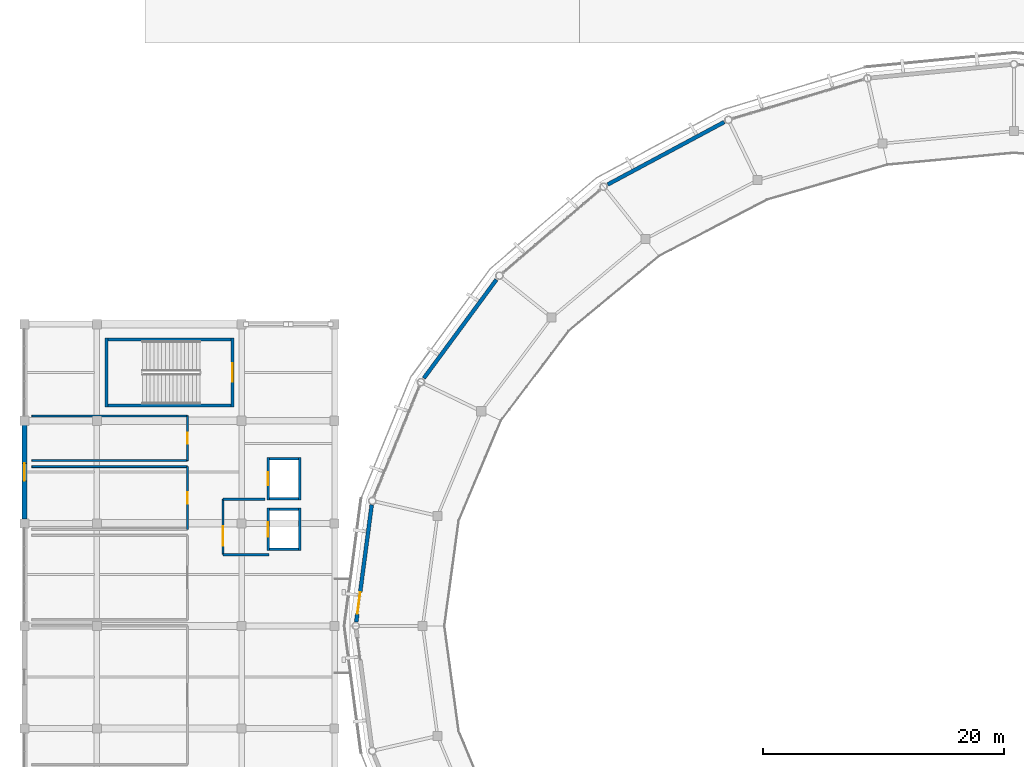
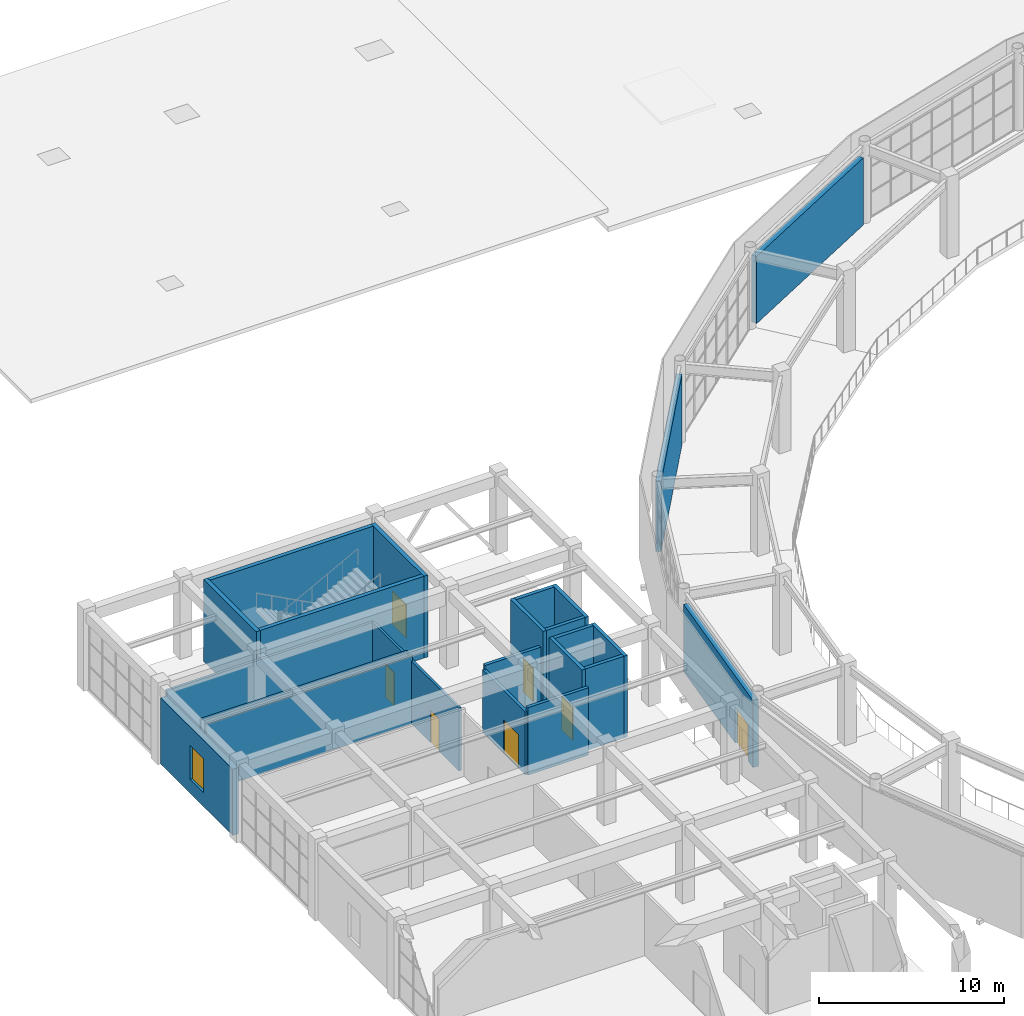
# One storey, part 55 of 70: 24 walls, 7 doors, 1 window, 8 openings.
"""IFC4 building model written with IfcOpenShell, lengths in metres."""

from ifc_helpers import new_model, si_unit, direction, frame, frame_2d, origin, place, context, subcontext, project, spatial, rectangle, extrude, material, layer, layer_set, type_object, element, fill, save


model = new_model("IFC4")

# Units and contexts
model_context = context("Model", 3, precision=1e-05, world=origin(), true_north=direction((0.0, 1.0)))
body_context = subcontext(model_context, "Body", "Model", "MODEL_VIEW")
ifc_project = project(units=[si_unit("LENGTHUNIT", "METRE"), si_unit("AREAUNIT", "SQUARE_METRE"), si_unit("VOLUMEUNIT", "CUBIC_METRE"), si_unit("PLANEANGLEUNIT", "RADIAN"), si_unit("MASSUNIT", "GRAM", prefix="KILO")], contexts=[model_context])

# Site, building, storey
site_placement = place(None, origin())
site = spatial("IfcSite", under=ifc_project, at=site_placement, CompositionType="ELEMENT")
building_placement = place(site_placement, origin())
building = spatial("IfcBuilding", under=site, at=building_placement, Name="Cuetzalor Civic Arena", CompositionType="ELEMENT")
storey_placement = place(building_placement, frame((0.0, 0.0, 21.0)))
storey = spatial("IfcBuildingStorey", under=building, at=storey_placement, Name="L04", CompositionType="ELEMENT", Elevation=21.0)

# Wall
ifc_material_1 = material(Name="Acoustic steel-stud gypsum partition", Category="steel")
ifc_layer_1 = layer(ifc_material_1, 0.14990234375)
ifc_layer_set_1 = layer_set([ifc_layer_1], Name="Acoustic steel-stud gypsum partition")
wall_type_1 = type_object("IfcWallType", Name="AcousticGypsumPartition_150", PredefinedType="PARTITIONING", material=ifc_layer_set_1)
wall_1_placement = place(storey_placement, frame((-81.39990234375, 13.199951171875, 0.0), z_axis=(0.0, 0.0, 1.0), x_axis=(1.0, 0.0, 0.0)))
element("IfcWall", 1, at=wall_1_placement, inside=storey, type_object=wall_type_1, Name="Interior Partition IWALL:L04:0514", PredefinedType="PARTITIONING", context=body_context, shape_type="SweptSolid", body=[
    extrude(rectangle(XDim=12.89990234375, YDim=0.14990234375, at=frame_2d((6.449951171875, 0.0))), origin(), (0.0, 0.0, 1.0), 4.445068359375),
])

# Wall, opening, door
wall_2_placement = place(storey_placement, frame((-68.5, 13.199951171875, 0.0), z_axis=(0.0, 0.0, 1.0), x_axis=(0.0, -1.0, 0.0)))
wall_2 = element("IfcWall", 2, at=wall_2_placement, inside=storey, type_object=wall_type_1, Name="Interior Partition IWALL:L04:0516", PredefinedType="PARTITIONING", context=body_context, shape_type="SweptSolid", body=[
    extrude(rectangle(XDim=5.199951171875, YDim=0.14990234375, at=frame_2d((2.60009765625, 0.0))), origin(), (0.0, 0.0, 1.0), 4.14501953125),
])
opening_1_placement = place(wall_2_placement, frame((2.125, 0.0, 0.0)))
opening_1 = element("IfcOpeningElement", 3, at=opening_1_placement, cuts=wall_2, Name="Opening ID-03", PredefinedType="OPENING", context=body_context, shape_type="SweptSolid", body=[
    extrude(rectangle(XDim=0.949951171875, YDim=2.14990234375, at=frame_2d((0.47509765625, 1.074951171875))), frame((0.0, 0.0849609375, 0.0), z_axis=(0.0, -1.0, 0.0), x_axis=(1.0, 0.0, 0.0)), (0.0, 0.0, 1.0), 0.169921875),
])
ifc_material_2 = material(Name="Painted steel frame and solid timber leaf", Category="steel")
door_type_1 = type_object("IfcDoorType", Name="InteriorSingleDoor_950x2150", OperationType="NOTDEFINED", PredefinedType="DOOR", material=ifc_material_2)
door_1_placement = place(opening_1_placement, origin())
door_1 = element("IfcDoor", 4, at=door_1_placement, inside=storey, type_object=door_type_1, Name="Door to Public Restroom West L04", OperationType="SINGLE_SWING_LEFT", OverallHeight=2.14990234375, OverallWidth=0.949951171875, PredefinedType="DOOR", context=body_context, shape_type="SweptSolid", body=[
    extrude(rectangle(XDim=0.949951171875, YDim=2.14990234375, at=frame_2d((0.47509765625, 1.074951171875))), frame((0.0, 0.02490234375, 0.0), z_axis=(0.0, -1.0, 0.0), x_axis=(1.0, 0.0, 0.0)), (0.0, 0.0, 1.0), 0.050048828125),
])
fill(opening_1, door_1)

# Walls
wall_3_placement = place(storey_placement, frame((-81.39990234375, 17.39990234375, 0.0), z_axis=(0.0, 0.0, 1.0), x_axis=(1.0, 0.0, 0.0)))
element("IfcWall", 5, at=wall_3_placement, inside=storey, type_object=wall_type_1, Name="Interior Partition IWALL:L04:0517", PredefinedType="PARTITIONING", context=body_context, shape_type="SweptSolid", body=[
    extrude(rectangle(XDim=12.89990234375, YDim=0.14990234375, at=frame_2d((6.449951171875, 0.0))), origin(), (0.0, 0.0, 1.0), 4.14501953125),
])
wall_4_placement = place(storey_placement, frame((-68.5, 13.699951171875, 0.0), z_axis=(0.0, 0.0, 1.0), x_axis=(-1.0, 0.0, 0.0)))
element("IfcWall", 6, at=wall_4_placement, inside=storey, type_object=wall_type_1, Name="Interior Partition IWALL:L04:0518", PredefinedType="PARTITIONING", context=body_context, shape_type="SweptSolid", body=[
    extrude(rectangle(XDim=12.89990234375, YDim=0.14990234375, at=frame_2d((6.449951171875, 0.0))), origin(), (0.0, 0.0, 1.0), 4.445068359375),
])

# Wall, opening, door
wall_5_placement = place(storey_placement, frame((-68.5, 17.39990234375, 0.0), z_axis=(0.0, 0.0, 1.0), x_axis=(0.0, -1.0, 0.0)))
wall_5 = element("IfcWall", 7, at=wall_5_placement, inside=storey, type_object=wall_type_1, Name="Interior Partition IWALL:L04:0519", PredefinedType="PARTITIONING", context=body_context, shape_type="SweptSolid", body=[
    extrude(rectangle(XDim=3.699951171875, YDim=0.14990234375, at=frame_2d((1.85009765625, 0.0))), origin(), (0.0, 0.0, 1.0), 4.14501953125),
])
opening_2_placement = place(wall_5_placement, frame((1.375, 0.0, 0.0)))
opening_2 = element("IfcOpeningElement", 8, at=opening_2_placement, cuts=wall_5, Name="Opening ID-03", PredefinedType="OPENING", context=body_context, shape_type="SweptSolid", body=[
    extrude(rectangle(XDim=0.949951171875, YDim=2.14990234375, at=frame_2d((0.47509765625, 1.074951171875))), frame((0.0, 0.0849609375, 0.0), z_axis=(0.0, -1.0, 0.0), x_axis=(1.0, 0.0, 0.0)), (0.0, 0.0, 1.0), 0.169921875),
])
door_2_placement = place(opening_2_placement, origin())
door_2 = element("IfcDoor", 9, at=door_2_placement, inside=storey, type_object=door_type_1, Name="Door to Accessible WC West L04", OperationType="SINGLE_SWING_RIGHT", OverallHeight=2.14990234375, OverallWidth=0.949951171875, PredefinedType="DOOR", context=body_context, shape_type="SweptSolid", body=[
    extrude(rectangle(XDim=0.949951171875, YDim=2.14990234375, at=frame_2d((0.47509765625, 1.074951171875))), frame((0.0, 0.02490234375, 0.0), z_axis=(0.0, -1.0, 0.0), x_axis=(1.0, 0.0, 0.0)), (0.0, 0.0, 1.0), 0.050048828125),
])
fill(opening_2, door_2)

# Walls
ifc_material_3 = material(Name="Concrete C40/50", Category="concrete")
ifc_layer_2 = layer(ifc_material_3, 0.25)
ifc_layer_set_2 = layer_set([ifc_layer_2], Name="Concrete C40/50")
wall_type_2 = type_object("IfcWallType", Name="ConcreteCoreShearWall_250", PredefinedType="SHEAR", material=ifc_layer_set_2)
wall_6_placement = place(storey_placement, frame((-75.22509765625, 18.14990234375, 0.0), z_axis=(0.0, 0.0, 1.0), x_axis=(0.0, 1.0, 0.0)))
element("IfcWall", 10, at=wall_6_placement, inside=storey, type_object=wall_type_2, Name="Stair Core Shear Wall ST-17-L04-W", PredefinedType="SHEAR", context=body_context, shape_type="SweptSolid", body=[
    extrude(rectangle(XDim=5.7001953125, YDim=0.25, at=frame_2d((2.85009765625, 0.0))), origin(), (0.0, 0.0, 1.0), 5.39990234375),
])
wall_7_placement = place(storey_placement, frame((-75.10009765625, 23.72509765625, 0.0), z_axis=(0.0, 0.0, 1.0), x_axis=(1.0, 0.0, 0.0)))
element("IfcWall", 11, at=wall_7_placement, inside=storey, type_object=wall_type_2, Name="Stair Core Shear Wall ST-17-L04-N", PredefinedType="SHEAR", context=body_context, shape_type="SweptSolid", body=[
    extrude(rectangle(XDim=10.2001953125, YDim=0.25, at=frame_2d((5.10009765625, 0.0))), origin(), (0.0, 0.0, 1.0), 5.39990234375),
])

# Wall, opening, door
wall_8_placement = place(storey_placement, frame((-64.77490234375, 23.85009765625, 0.0), z_axis=(0.0, 0.0, 1.0), x_axis=(0.0, -1.0, 0.0)))
wall_8 = element("IfcWall", 12, at=wall_8_placement, inside=storey, type_object=wall_type_2, Name="Stair Core Shear Wall ST-17-L04-E", PredefinedType="SHEAR", context=body_context, shape_type="SweptSolid", body=[
    extrude(rectangle(XDim=5.7001953125, YDim=0.25, at=frame_2d((2.85009765625, 0.0))), origin(), (0.0, 0.0, 1.0), 5.39990234375),
])
opening_3_placement = place(wall_8_placement, frame((2.10009765625, 0.0, 0.0)))
opening_3 = element("IfcOpeningElement", 13, at=opening_3_placement, cuts=wall_8, Name="Opening FD-03", PredefinedType="OPENING", context=body_context, shape_type="SweptSolid", body=[
    extrude(rectangle(XDim=1.5, YDim=2.199951171875, at=frame_2d((0.75, 1.10009765625))), frame((0.0, 0.135009765625, 0.0), z_axis=(0.0, -1.0, 0.0), x_axis=(1.0, 0.0, 0.0)), (0.0, 0.0, 1.0), 0.27001953125),
])
ifc_material_4 = material(Name="Fire-rated steel stair exit double door", Category="steel")
door_type_2 = type_object("IfcDoorType", Name="StairFireDoubleDoor_1500x2200", OperationType="DOUBLE_DOOR_SINGLE_SWING", PredefinedType="DOOR", material=ifc_material_4)
door_3_placement = place(opening_3_placement, origin())
door_3 = element("IfcDoor", 14, at=door_3_placement, inside=storey, type_object=door_type_2, Name="Fire Stair Door ST-17 L04", OperationType="DOUBLE_DOOR_SINGLE_SWING", OverallHeight=2.199951171875, OverallWidth=1.5, PredefinedType="DOOR", context=body_context, shape_type="SweptSolid", body=[
    extrude(rectangle(XDim=1.5, YDim=2.199951171875, at=frame_2d((0.75, 1.10009765625))), frame((0.0, 0.02490234375, 0.0), z_axis=(0.0, -1.0, 0.0), x_axis=(1.0, 0.0, 0.0)), (0.0, 0.0, 1.0), 0.050048828125),
])
fill(opening_3, door_3)

# Wall
wall_9_placement = place(storey_placement, frame((-64.89990234375, 18.27490234375, 0.0), z_axis=(0.0, 0.0, 1.0), x_axis=(-1.0, 0.0, 0.0)))
element("IfcWall", 15, at=wall_9_placement, inside=storey, type_object=wall_type_2, Name="Stair Core Shear Wall ST-17-L04-S", PredefinedType="SHEAR", context=body_context, shape_type="SweptSolid", body=[
    extrude(rectangle(XDim=10.2001953125, YDim=0.25, at=frame_2d((5.10009765625, 0.0))), origin(), (0.0, 0.0, 1.0), 5.39990234375),
])

# Wall, opening, door
ifc_material_5 = material(Name="Fire-rated masonry and gypsum partition", Category="masonry")
ifc_layer_3 = layer(ifc_material_5, 0.199951171875)
ifc_layer_set_3 = layer_set([ifc_layer_3], Name="Fire-rated masonry and gypsum partition")
wall_type_3 = type_object("IfcWallType", Name="FireCompartmentWall_200", PredefinedType="PARTITIONING", material=ifc_layer_set_3)
wall_10_placement = place(storey_placement, frame((-65.550048828125, 5.89990234375, 0.0), z_axis=(0.0, 0.0, 1.0), x_axis=(0.0, 1.0, 0.0)))
wall_10 = element("IfcWall", 16, at=wall_10_placement, inside=storey, type_object=wall_type_3, Name="Interior Partition IWALL:L04:0031", PredefinedType="PARTITIONING", context=body_context, shape_type="SweptSolid", body=[
    extrude(rectangle(XDim=4.60009765625, YDim=0.199951171875, at=frame_2d((2.300048828125, 0.0))), origin(), (0.0, 0.0, 1.0), 4.14501953125),
])
opening_4_placement = place(wall_10_placement, frame((0.75, 0.0, 0.0)))
opening_4 = element("IfcOpeningElement", 17, at=opening_4_placement, cuts=wall_10, Name="Opening FD-05", PredefinedType="OPENING", context=body_context, shape_type="SweptSolid", body=[
    extrude(rectangle(XDim=1.60009765625, YDim=2.199951171875, at=frame_2d((0.800048828125, 1.10009765625))), frame((0.0, 0.10986328125, 0.0), z_axis=(0.0, -1.0, 0.0), x_axis=(1.0, 0.0, 0.0)), (0.0, 0.0, 1.0), 0.219970703125),
])
ifc_material_6 = material(Name="Fire-rated smoke-seal lobby double door", Category="steel")
door_type_3 = type_object("IfcDoorType", Name="FireLobbyDoubleDoor_1600x2200", OperationType="DOUBLE_DOOR_SINGLE_SWING", PredefinedType="DOOR", material=ifc_material_6)
door_4_placement = place(opening_4_placement, origin())
door_4 = element("IfcDoor", 18, at=door_4_placement, inside=storey, type_object=door_type_3, Name="Door to Firefighting Lift Lobby LF-02 L04", OperationType="DOUBLE_DOOR_SINGLE_SWING", OverallHeight=2.199951171875, OverallWidth=1.60009765625, PredefinedType="DOOR", context=body_context, shape_type="SweptSolid", body=[
    extrude(rectangle(XDim=1.60009765625, YDim=2.199951171875, at=frame_2d((0.800048828125, 1.10009765625))), frame((0.0, 0.02490234375, 0.0), z_axis=(0.0, -1.0, 0.0), x_axis=(1.0, 0.0, 0.0)), (0.0, 0.0, 1.0), 0.050048828125),
])
fill(opening_4, door_4)

# Walls
wall_11_placement = place(storey_placement, frame((-65.550048828125, 10.5, 0.0), z_axis=(0.0, 0.0, 1.0), x_axis=(1.0, 0.0, 0.0)))
element("IfcWall", 19, at=wall_11_placement, inside=storey, type_object=wall_type_3, Name="Interior Partition IWALL:L04:0032", PredefinedType="PARTITIONING", context=body_context, shape_type="SweptSolid", body=[
    extrude(rectangle(XDim=3.47998046875, YDim=0.199951171875, at=frame_2d((1.739990234375, 0.0))), origin(), (0.0, 0.0, 1.0), 4.445068359375),
])
wall_12_placement = place(storey_placement, frame((-61.75, 5.89990234375, 0.0), z_axis=(0.0, 0.0, 1.0), x_axis=(-1.0, 0.0, 0.0)))
element("IfcWall", 20, at=wall_12_placement, inside=storey, type_object=wall_type_3, Name="Interior Partition IWALL:L04:0033", PredefinedType="PARTITIONING", context=body_context, shape_type="SweptSolid", body=[
    extrude(rectangle(XDim=3.800048828125, YDim=0.199951171875, at=frame_2d((1.89990234375, 0.0))), origin(), (0.0, 0.0, 1.0), 4.445068359375),
])
ifc_material_7 = material(Name="Precast concrete C40/50 insulated cladding", Category="concrete")
ifc_layer_4 = layer(ifc_material_7, 0.320068359375)
ifc_layer_set_4 = layer_set([ifc_layer_4], Name="Precast concrete C40/50 insulated cladding")
wall_type_4 = type_object("IfcWallType", Name="InsulatedPrecastWall_320", PredefinedType="SOLIDWALL", material=ifc_layer_set_4)
wall_13_placement = place(storey_placement, frame((-33.663330078125, 36.580810546875, 0.0), z_axis=(0.0, 0.0, 1.0), x_axis=(0.881305503949, 0.472546938102, 0.0)))
element("IfcWall", 21, at=wall_13_placement, inside=storey, type_object=wall_type_4, Name="Drum Acoustic Backing Wall L04-062", PredefinedType="SOLIDWALL", context=body_context, shape_type="SweptSolid", body=[
    extrude(rectangle(XDim=10.9462890625, YDim=0.320068359375, at=frame_2d((5.47314453125, 0.0))), origin(), (0.0, 0.0, 1.0), 4.431884765625),
])
wall_14_placement = place(storey_placement, frame((-48.90576171875, 20.526123046875, 0.0), z_axis=(0.0, 0.0, 1.0), x_axis=(0.592929724135, 0.805254209698, 0.0)))
element("IfcWall", 22, at=wall_14_placement, inside=storey, type_object=wall_type_4, Name="Drum Acoustic Backing Wall L04-063", PredefinedType="SOLIDWALL", context=body_context, shape_type="SweptSolid", body=[
    extrude(rectangle(XDim=10.14404296875, YDim=0.320068359375, at=frame_2d((5.072021484375, 0.0))), origin(), (0.0, 0.0, 1.0), 4.653076171875),
])

# Wall, opening, door
wall_15_placement = place(storey_placement, frame((-54.507568359375, 0.321533203125, 0.0), z_axis=(0.0, 0.0, 1.0), x_axis=(0.130894016981, 0.991396366908, 0.0)))
wall_15 = element("IfcWall", 23, at=wall_15_placement, inside=storey, type_object=wall_type_4, Name="Drum Acoustic Backing Wall L04-064", PredefinedType="SOLIDWALL", context=body_context, shape_type="SweptSolid", body=[
    extrude(rectangle(XDim=9.799560546875, YDim=0.320068359375, at=frame_2d((4.89990234375, 0.0))), origin(), (0.0, 0.0, 1.0), 4.431884765625),
])
opening_5_placement = place(wall_15_placement, frame((0.699951171875, 0.0, 0.0)))
opening_5 = element("IfcOpeningElement", 24, at=opening_5_placement, cuts=wall_15, Name="Opening ED-09", PredefinedType="OPENING", context=body_context, shape_type="SweptSolid", body=[
    extrude(rectangle(XDim=1.800048828125, YDim=2.39990234375, at=frame_2d((0.89990234375, 1.199951171875))), frame((0.0, 0.169921875, 0.0), z_axis=(0.0, -1.0, 0.0), x_axis=(1.0, 0.0, 0.0)), (0.0, 0.0, 1.0), 0.340087890625),
])
ifc_material_8 = material(Name="Thermally broken bronze steel and laminated glass", Category="steel")
door_type_4 = type_object("IfcDoorType", Name="RoofGardenGlazedDoor_1800x2400", OperationType="DOUBLE_DOOR_SINGLE_SWING", PredefinedType="DOOR", material=ifc_material_8)
door_5_placement = place(opening_5_placement, origin())
door_5 = element("IfcDoor", 25, at=door_5_placement, inside=storey, type_object=door_type_4, Name="Seismic Bridge Circulation Door L04-S14", OperationType="DOUBLE_DOOR_SINGLE_SWING", OverallHeight=2.39990234375, OverallWidth=1.800048828125, PredefinedType="DOOR", context=body_context, shape_type="SweptSolid", body=[
    extrude(rectangle(XDim=1.800048828125, YDim=2.39990234375, at=frame_2d((0.89990234375, 1.199951171875))), frame((0.0, 0.02490234375, 0.0), z_axis=(0.0, -1.0, 0.0), x_axis=(1.0, 0.0, 0.0)), (0.0, 0.0, 1.0), 0.050048828125),
])
fill(opening_5, door_5)

ifc_material_9 = material(Name="Concrete C40/50", Category="concrete")
ifc_layer_5 = layer(ifc_material_9, 0.219970703125)
ifc_layer_set_5 = layer_set([ifc_layer_5], Name="Concrete C40/50")
wall_type_5 = type_object("IfcWallType", Name="LiftShaftShearWall_220", PredefinedType="SHEAR", material=ifc_layer_set_5)
wall_16_placement = place(storey_placement, frame((-61.81005859375, 6.22998046875, 0.0), z_axis=(0.0, 0.0, 1.0), x_axis=(0.0, 1.0, 0.0)))
wall_16 = element("IfcWall", 26, at=wall_16_placement, inside=storey, type_object=wall_type_5, Name="Lift Shaft Wall LF-02-L04-W", PredefinedType="SHEAR", context=body_context, shape_type="SweptSolid", body=[
    extrude(rectangle(XDim=3.5400390625, YDim=0.219970703125, at=frame_2d((1.77001953125, 0.0))), origin(), (0.0, 0.0, 1.0), 5.39990234375),
])
opening_6_placement = place(wall_16_placement, frame((1.169921875, 0.0, 0.0)))
opening_6 = element("IfcOpeningElement", 27, at=opening_6_placement, cuts=wall_16, Name="Opening LD-02", PredefinedType="OPENING", context=body_context, shape_type="SweptSolid", body=[
    extrude(rectangle(XDim=1.199951171875, YDim=2.199951171875, at=frame_2d((0.60009765625, 1.10009765625))), frame((0.0, 0.1201171875, 0.0), z_axis=(0.0, -1.0, 0.0), x_axis=(1.0, 0.0, 0.0)), (0.0, 0.0, 1.0), 0.239990234375),
])
ifc_material_10 = material(Name="Fire-rated stainless steel sliding lift landing door", Category="steel")
door_type_5 = type_object("IfcDoorType", Name="LiftLandingSlidingDoor_1200x2200", OperationType="SLIDING_TO_LEFT", PredefinedType="DOOR", material=ifc_material_10)
door_6_placement = place(opening_6_placement, origin())
door_6 = element("IfcDoor", 28, at=door_6_placement, inside=storey, type_object=door_type_5, Name="Lift Landing Sliding Door LF-02 L04", OperationType="SLIDING_TO_LEFT", OverallHeight=2.199951171875, OverallWidth=1.199951171875, PredefinedType="DOOR", context=body_context, shape_type="SweptSolid", body=[
    extrude(rectangle(XDim=1.199951171875, YDim=2.199951171875, at=frame_2d((0.60009765625, 1.10009765625))), frame((0.0, 0.02490234375, 0.0), z_axis=(0.0, -1.0, 0.0), x_axis=(1.0, 0.0, 0.0)), (0.0, 0.0, 1.0), 0.050048828125),
])
fill(opening_6, door_6)

# Walls
wall_17_placement = place(storey_placement, frame((-61.699951171875, 9.659912109375, 0.0), z_axis=(0.0, 0.0, 1.0), x_axis=(1.0, 0.0, 0.0)))
element("IfcWall", 29, at=wall_17_placement, inside=storey, type_object=wall_type_5, Name="Lift Shaft Wall LF-02-L04-N", PredefinedType="SHEAR", context=body_context, shape_type="SweptSolid", body=[
    extrude(rectangle(XDim=2.39990234375, YDim=0.219970703125, at=frame_2d((1.199951171875, 0.0))), origin(), (0.0, 0.0, 1.0), 5.39990234375),
])
wall_18_placement = place(storey_placement, frame((-59.18994140625, 9.77001953125, 0.0), z_axis=(0.0, 0.0, 1.0), x_axis=(0.0, -1.0, 0.0)))
element("IfcWall", 30, at=wall_18_placement, inside=storey, type_object=wall_type_5, Name="Lift Shaft Wall LF-02-L04-E", PredefinedType="SHEAR", context=body_context, shape_type="SweptSolid", body=[
    extrude(rectangle(XDim=3.5400390625, YDim=0.219970703125, at=frame_2d((1.77001953125, 0.0))), origin(), (0.0, 0.0, 1.0), 5.39990234375),
])
wall_19_placement = place(storey_placement, frame((-59.300048828125, 6.340087890625, 0.0), z_axis=(0.0, 0.0, 1.0), x_axis=(-1.0, 0.0, 0.0)))
element("IfcWall", 31, at=wall_19_placement, inside=storey, type_object=wall_type_5, Name="Lift Shaft Wall LF-02-L04-S", PredefinedType="SHEAR", context=body_context, shape_type="SweptSolid", body=[
    extrude(rectangle(XDim=2.39990234375, YDim=0.219970703125, at=frame_2d((1.199951171875, 0.0))), origin(), (0.0, 0.0, 1.0), 5.39990234375),
])

# Wall, opening, door
wall_20_placement = place(storey_placement, frame((-61.81005859375, 10.429931640625, 0.0), z_axis=(0.0, 0.0, 1.0), x_axis=(0.0, 1.0, 0.0)))
wall_20 = element("IfcWall", 32, at=wall_20_placement, inside=storey, type_object=wall_type_5, Name="Lift Shaft Wall LP-04-L04-W", PredefinedType="SHEAR", context=body_context, shape_type="SweptSolid", body=[
    extrude(rectangle(XDim=3.5400390625, YDim=0.219970703125, at=frame_2d((1.77001953125, 0.0))), origin(), (0.0, 0.0, 1.0), 5.39990234375),
])
opening_7_placement = place(wall_20_placement, frame((1.219970703125, 0.0, 0.0)))
opening_7 = element("IfcOpeningElement", 33, at=opening_7_placement, cuts=wall_20, Name="Opening LD-01", PredefinedType="OPENING", context=body_context, shape_type="SweptSolid", body=[
    extrude(rectangle(XDim=1.10009765625, YDim=2.199951171875, at=frame_2d((0.550048828125, 1.10009765625))), frame((0.0, 0.1201171875, 0.0), z_axis=(0.0, -1.0, 0.0), x_axis=(1.0, 0.0, 0.0)), (0.0, 0.0, 1.0), 0.239990234375),
])
ifc_material_11 = material(Name="Brushed stainless steel sliding lift landing door", Category="steel")
door_type_6 = type_object("IfcDoorType", Name="LiftLandingSlidingDoor_1100x2200", OperationType="SLIDING_TO_LEFT", PredefinedType="DOOR", material=ifc_material_11)
door_7_placement = place(opening_7_placement, origin())
door_7 = element("IfcDoor", 34, at=door_7_placement, inside=storey, type_object=door_type_6, Name="Lift Landing Sliding Door LP-04 L04", OperationType="SLIDING_TO_LEFT", OverallHeight=2.199951171875, OverallWidth=1.10009765625, PredefinedType="DOOR", context=body_context, shape_type="SweptSolid", body=[
    extrude(rectangle(XDim=1.10009765625, YDim=2.199951171875, at=frame_2d((0.550048828125, 1.10009765625))), frame((0.0, 0.02490234375, 0.0), z_axis=(0.0, -1.0, 0.0), x_axis=(1.0, 0.0, 0.0)), (0.0, 0.0, 1.0), 0.050048828125),
])
fill(opening_7, door_7)

# Walls
wall_21_placement = place(storey_placement, frame((-61.699951171875, 13.860107421875, 0.0), z_axis=(0.0, 0.0, 1.0), x_axis=(1.0, 0.0, 0.0)))
element("IfcWall", 35, at=wall_21_placement, inside=storey, type_object=wall_type_5, Name="Lift Shaft Wall LP-04-L04-N", PredefinedType="SHEAR", context=body_context, shape_type="SweptSolid", body=[
    extrude(rectangle(XDim=2.39990234375, YDim=0.219970703125, at=frame_2d((1.199951171875, 0.0))), origin(), (0.0, 0.0, 1.0), 5.39990234375),
])
wall_22_placement = place(storey_placement, frame((-59.18994140625, 13.969970703125, 0.0), z_axis=(0.0, 0.0, 1.0), x_axis=(0.0, -1.0, 0.0)))
element("IfcWall", 36, at=wall_22_placement, inside=storey, type_object=wall_type_5, Name="Lift Shaft Wall LP-04-L04-E", PredefinedType="SHEAR", context=body_context, shape_type="SweptSolid", body=[
    extrude(rectangle(XDim=3.5400390625, YDim=0.219970703125, at=frame_2d((1.77001953125, 0.0))), origin(), (0.0, 0.0, 1.0), 5.39990234375),
])
wall_23_placement = place(storey_placement, frame((-59.300048828125, 10.5400390625, 0.0), z_axis=(0.0, 0.0, 1.0), x_axis=(-1.0, 0.0, 0.0)))
element("IfcWall", 37, at=wall_23_placement, inside=storey, type_object=wall_type_5, Name="Lift Shaft Wall LP-04-L04-S", PredefinedType="SHEAR", context=body_context, shape_type="SweptSolid", body=[
    extrude(rectangle(XDim=2.39990234375, YDim=0.219970703125, at=frame_2d((1.199951171875, 0.0))), origin(), (0.0, 0.0, 1.0), 5.39990234375),
])

# Wall, opening, window
ifc_material_12 = material(Name="Polychrome Talavera ceramic on Concrete C35/45", Category="concrete")
ifc_layer_6 = layer(ifc_material_12, 0.3798828125)
ifc_layer_set_6 = layer_set([ifc_layer_6], Name="Polychrome Talavera ceramic on Concrete C35/45")
wall_type_6 = type_object("IfcWallType", Name="TalaveraSpandrelWall_380", PredefinedType="SOLIDWALL", material=ifc_layer_set_6)
wall_24_placement = place(storey_placement, frame((-82.0, 8.85693359375, 0.0), z_axis=(0.0, 0.0, 1.0), x_axis=(0.0, 1.0, 0.0)))
wall_24 = element("IfcWall", 38, at=wall_24_placement, inside=storey, type_object=wall_type_6, Name="V4W Outer Talavera Wall L04-144", PredefinedType="SOLIDWALL", context=body_context, shape_type="SweptSolid", body=[
    extrude(rectangle(XDim=7.7861328125, YDim=0.3798828125, at=frame_2d((3.89306640625, 0.0))), origin(), (0.0, 0.0, 1.0), 4.360107421875),
])
opening_8_placement = place(wall_24_placement, frame((3.16796875, 0.0, 0.89990234375)))
opening_8 = element("IfcOpeningElement", 39, at=opening_8_placement, cuts=wall_24, Name="Opening WN-39", PredefinedType="OPENING", context=body_context, shape_type="SweptSolid", body=[
    extrude(rectangle(XDim=1.449951171875, YDim=2.25, at=frame_2d((0.72509765625, 1.125))), frame((0.0, 0.199951171875, 0.0), z_axis=(0.0, -1.0, 0.0), x_axis=(1.0, 0.0, 0.0)), (0.0, 0.0, 1.0), 0.39990234375),
])
ifc_material_13 = material(Name="Anodised bronze aluminium and low-E solar glass", Category="aluminium")
window_type = type_object("IfcWindowType", Name="BronzeThermalWindow_1450x2250", PartitioningType="SINGLE_PANEL", PredefinedType="WINDOW", material=ifc_material_13)
window_placement = place(opening_8_placement, origin())
window = element("IfcWindow", 40, at=window_placement, inside=storey, type_object=window_type, Name="V4W Facade Window L04-0039", OverallHeight=2.25, OverallWidth=1.449951171875, PartitioningType="SINGLE_PANEL", PredefinedType="WINDOW", context=body_context, shape_type="SweptSolid", body=[
    extrude(rectangle(XDim=1.449951171875, YDim=2.25, at=frame_2d((0.72509765625, 1.125))), frame((0.0, 0.030029296875, 0.0), z_axis=(0.0, -1.0, 0.0), x_axis=(1.0, 0.0, 0.0)), (0.0, 0.0, 1.0), 0.06005859375),
])
fill(opening_8, window)

save(model, "model.ifc")
